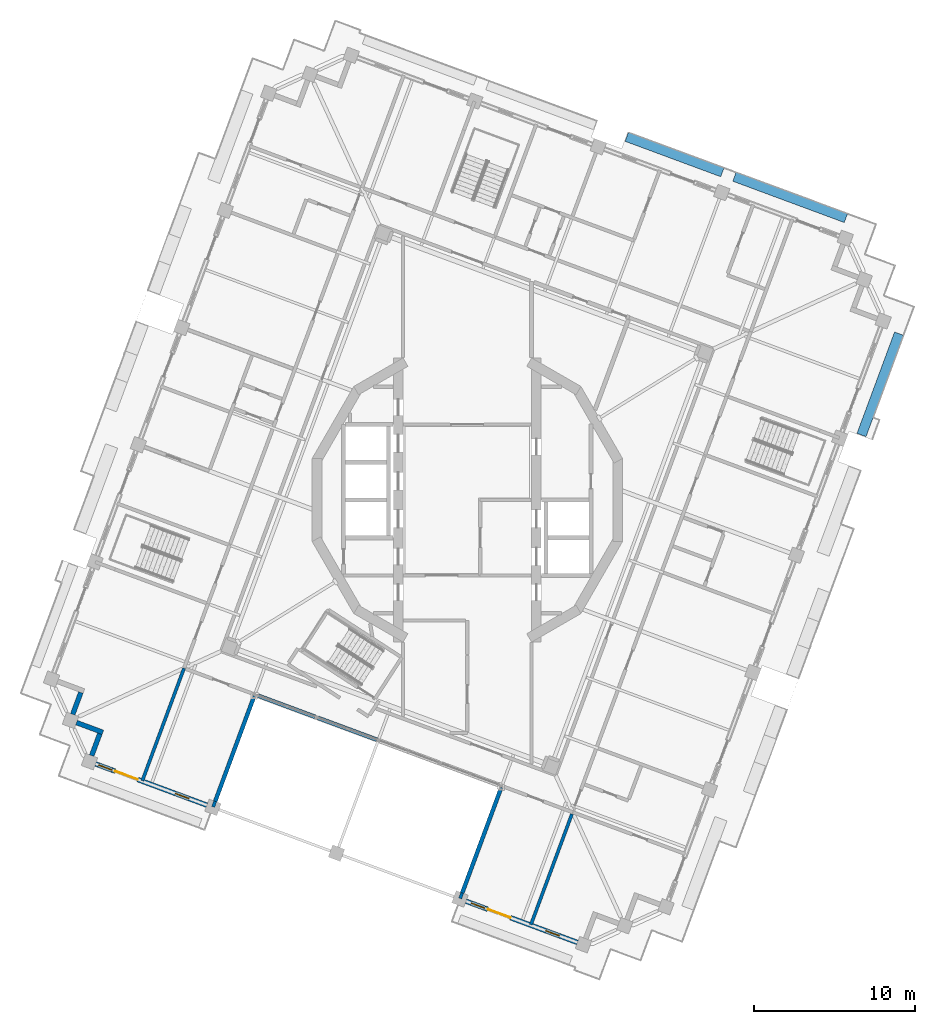
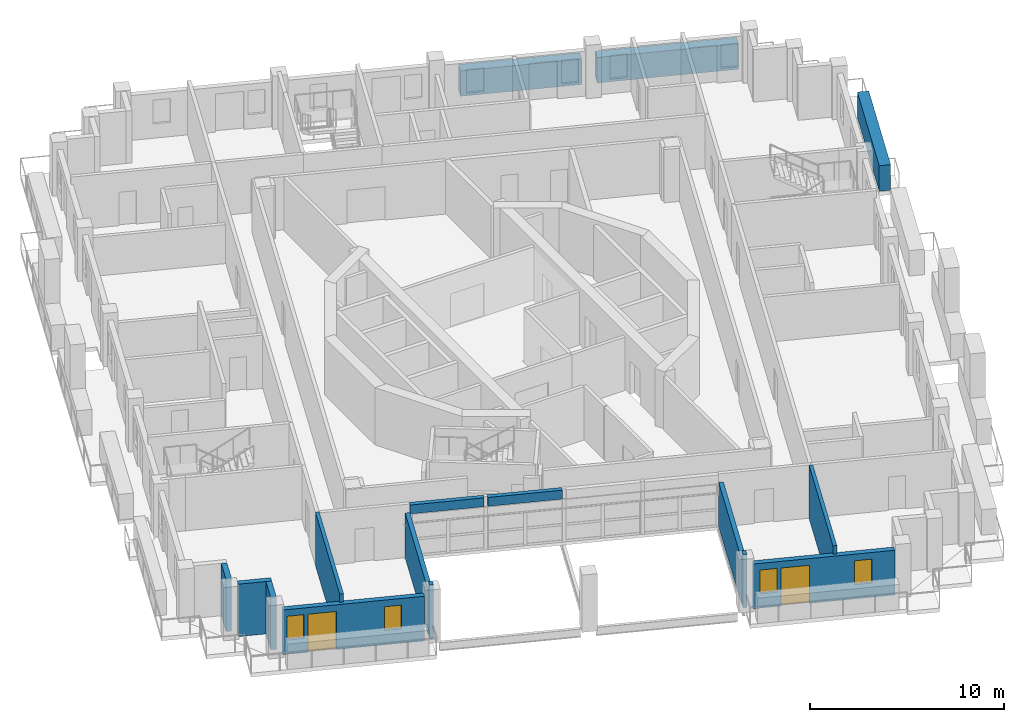
# One storey, part 5 of 19: 13 walls, 4 windows, 3 plates, 2 doors, 6 openings.
"""IFC4 building model written with IfcOpenShell, lengths in metres."""

import ifcopenshell
import ifcopenshell.guid

model = None  # the IFC model being written
_history = None  # IfcOwnerHistory: only IFC2X3 demands one
_inside = {}  # id of a spatial element -> (the spatial element, [elements in it])
_under = {}  # id of a project, library or spatial element -> (it, [spatial elements below it])
_declared = {}  # id of a project -> (the project, [libraries it declares])
_typed = {}  # id of a type object -> (the type object, [elements of that type])
_made_of = {}  # id of a material, layer set ... -> (it, [elements and type objects made of it])


def new_model(schema):
    """Start an empty IFC model of exactly this schema.

    Asked for "IFC4X3", IfcOpenShell would pick the latest addendum, in which some entities
    have other attributes; the version numbers below select the first issue.
    IFC2X3 requires an IfcOwnerHistory on every rooted entity: one is made here for all.
    """
    global model, _history
    if schema == "IFC4X3":
        model = ifcopenshell.file(schema_version=(4, 3, 0, 0))
    else:
        model = ifcopenshell.file(schema=schema)
    _inside.clear()
    _under.clear()
    _declared.clear()
    _typed.clear()
    _made_of.clear()
    _history = None
    if model.schema == "IFC2X3":
        org = make("IfcOrganization", Name="unknown")
        user = make(
            "IfcPersonAndOrganization",
            ThePerson=make("IfcPerson", FamilyName="unknown"),
            TheOrganization=org,
        )
        app = make(
            "IfcApplication",
            ApplicationDeveloper=org,
            Version="unknown",
            ApplicationFullName="unknown",
            ApplicationIdentifier="unknown",
        )
        _history = make(
            "IfcOwnerHistory",
            OwningUser=user,
            OwningApplication=app,
            ChangeAction="ADDED",
            CreationDate=0,
        )
    return model


def make(cls, **values):
    """One entity of the class cls with the attributes given. An attribute that is None is left unset."""
    return model.create_entity(
        cls, **{name: value for name, value in values.items() if value is not None}
    )


def rooted(cls, **values):
    """An entity with a GlobalId (a new one), such as an element, a storey or a relation."""
    return make(cls, GlobalId=ifcopenshell.guid.new(), OwnerHistory=_history, **values)


def si_unit(unit_type, name, prefix=None):
    """IfcSIUnit, for example si_unit("LENGTHUNIT", "METRE", prefix="MILLI")."""
    return make("IfcSIUnit", UnitType=unit_type, Prefix=prefix, Name=name)


def assignment(units):
    """IfcUnitAssignment: the units of a project."""
    return None if units is None else make("IfcUnitAssignment", Units=units)


def point(xyz):
    """IfcCartesianPoint."""
    return None if xyz is None else make("IfcCartesianPoint", Coordinates=xyz)


def direction(xyz):
    """IfcDirection."""
    return None if xyz is None else make("IfcDirection", DirectionRatios=xyz)


def frame(location, z_axis=None, x_axis=None):
    """IfcAxis2Placement3D, a coordinate frame: its origin and axes. An axis left out is left unset."""
    return make(
        "IfcAxis2Placement3D",
        Location=point(location),
        Axis=direction(z_axis),
        RefDirection=direction(x_axis),
    )


def frame_2d(location, x_axis=None):
    """IfcAxis2Placement2D, a coordinate frame in the plane: its origin and x axis."""
    return make(
        "IfcAxis2Placement2D", Location=point(location), RefDirection=direction(x_axis)
    )


def origin():
    """The frame at (0, 0, 0) with its axes left unset."""
    return frame((0.0, 0.0, 0.0))


def origin_2d():
    """The frame at (0, 0) in the plane with its x axis left unset."""
    return frame_2d((0.0, 0.0))


def place(relative_to, where):
    """IfcLocalPlacement: puts the frame where relative to a parent placement (None: the world)."""
    return make(
        "IfcLocalPlacement", PlacementRelTo=relative_to, RelativePlacement=where
    )


def context(
    kind, dimensions, precision=None, world=None, true_north=None, identifier=None
):
    """IfcGeometricRepresentationContext, for example the 3D "Model" context."""
    return make(
        "IfcGeometricRepresentationContext",
        ContextIdentifier=identifier,
        ContextType=kind,
        CoordinateSpaceDimension=dimensions,
        Precision=precision,
        WorldCoordinateSystem=world,
        TrueNorth=true_north,
    )


def subcontext(parent, identifier, kind, view, scale=None):
    """IfcGeometricRepresentationSubContext, for example "Body" below "Model"."""
    return make(
        "IfcGeometricRepresentationSubContext",
        ContextIdentifier=identifier,
        ContextType=kind,
        ParentContext=parent,
        TargetScale=scale,
        TargetView=view,
    )


def project(units=None, contexts=None):
    """IfcProject with its units and contexts."""
    return rooted(
        "IfcProject",
        Name="project",
        RepresentationContexts=contexts,
        UnitsInContext=assignment(units),
    )


def spatial(cls, under=None, at=None, **own):
    """A site, building, storey or space (cls), placed at a placement, below another one or the project."""
    s = rooted(cls, ObjectPlacement=at, **own)
    if under is not None:
        _under.setdefault(under.id(), (under, []))[1].append(s)
    return s


def profile(cls, at=None, kind="AREA", **sizes):
    """A parametric profile (cls). Its sizes go by their IFC names, for example OverallWidth=200.0."""
    return make(cls, ProfileType=kind, Position=at, **sizes)


def rectangle(**sizes):
    """IfcRectangleProfileDef."""
    return profile("IfcRectangleProfileDef", **sizes)


def extrude(swept, where, along, depth):
    """IfcExtrudedAreaSolid: the profile swept, set in the frame where, extruded along a direction by depth."""
    return make(
        "IfcExtrudedAreaSolid",
        SweptArea=swept,
        Position=where,
        ExtrudedDirection=direction(along),
        Depth=depth,
    )


def shape(context_of_items, identifier, shape_type, items):
    """IfcShapeRepresentation: the items that make up one representation, for example the "Body"."""
    return make(
        "IfcShapeRepresentation",
        ContextOfItems=context_of_items,
        RepresentationIdentifier=identifier,
        RepresentationType=shape_type,
        Items=items,
    )


def material(Name=None, Category=None):
    """IfcMaterial."""
    return make("IfcMaterial", Name=Name, Category=Category)


def layer(
    of_material, thickness, ventilated=None, Name=None, Category=None, Priority=None
):
    """IfcMaterialLayer: one layer of a wall or slab, of a material (None: an air gap)."""
    return make(
        "IfcMaterialLayer",
        Material=of_material,
        LayerThickness=thickness,
        IsVentilated=ventilated,
        Name=Name,
        Category=Category,
        Priority=Priority,
    )


def layer_set(layers, Name=None):
    """IfcMaterialLayerSet."""
    return make("IfcMaterialLayerSet", MaterialLayers=layers, LayerSetName=Name)


def made_of(thing, what):
    """Note that an element or type object is made of a material, layer set ...; save() writes the relation."""
    if what is not None:
        _made_of.setdefault(what.id(), (what, []))[1].append(thing)
    return thing


def type_object(cls, material=None, **own):
    """A type object (cls), such as IfcWallType, which elements share."""
    return made_of(rooted(cls, **own), material)


def element(
    cls,
    number,
    at=None,
    inside=None,
    cuts=None,
    type_object=None,
    material=None,
    context=None,
    identifier="Body",
    shape_type=None,
    held_by="IfcProductDefinitionShape",
    body=None,
    shapes=None,
    **own,
):
    """One element of the class cls, such as IfcWall. Its Tag is "e" and its number.

    at: its placement. inside: the storey or other place that contains it. cuts: it is an
    opening in that element (IfcRelVoidsElement). A single representation is given by context,
    identifier, shape_type and body (its items); several are given by shapes. held_by: the class
    of the entity that holds the representations. save() writes the other relations.
    """
    e = rooted(cls, Tag="e%d" % number, ObjectPlacement=at, **own)
    if body is not None:
        shapes = [shape(context, identifier, shape_type, body)]
    if shapes is not None:
        e.Representation = make(held_by, Representations=shapes)
    if inside is not None:
        _inside.setdefault(inside.id(), (inside, []))[1].append(e)
    if cuts is not None:
        rooted(
            "IfcRelVoidsElement", RelatingBuildingElement=cuts, RelatedOpeningElement=e
        )
    if type_object is not None:
        _typed.setdefault(type_object.id(), (type_object, []))[1].append(e)
    return made_of(e, material)


def fill(opening, filler):
    """IfcRelFillsElement: the door or window that sits in an opening."""
    return rooted(
        "IfcRelFillsElement",
        RelatingOpeningElement=opening,
        RelatedBuildingElement=filler,
    )


def aggregate(whole, parts):
    """IfcRelAggregates: a whole, such as a stair, and the parts it consists of."""
    return rooted("IfcRelAggregates", RelatingObject=whole, RelatedObjects=parts)


def save(model, path):
    """Write the relations noted so far, then the file.

    IfcRelAggregates (storeys below a building ...), IfcRelContainedInSpatialStructure (elements
    in a storey), IfcRelDefinesByType, IfcRelAssociatesMaterial and IfcRelDeclares: one each for
    every whole, place, type object, material and project.
    """
    for whole, parts in _under.values():
        aggregate(whole, parts)
    for where, things in _inside.values():
        rooted(
            "IfcRelContainedInSpatialStructure",
            RelatedElements=things,
            RelatingStructure=where,
        )
    for kind, things in _typed.values():
        rooted("IfcRelDefinesByType", RelatedObjects=things, RelatingType=kind)
    for what, things in _made_of.values():
        rooted("IfcRelAssociatesMaterial", RelatedObjects=things, RelatingMaterial=what)
    for by, libraries in _declared.values():
        rooted("IfcRelDeclares", RelatingContext=by, RelatedDefinitions=libraries)
    model.write(path)


model = new_model("IFC4")

# Units and contexts
model_context = context("Model", 3, precision=1e-05, world=origin(), true_north=direction((0.0, 1.0)))
body_context = subcontext(model_context, "Body", "Model", "MODEL_VIEW")
ifc_project = project(units=[si_unit("LENGTHUNIT", "METRE"), si_unit("AREAUNIT", "SQUARE_METRE"), si_unit("VOLUMEUNIT", "CUBIC_METRE"), si_unit("PLANEANGLEUNIT", "RADIAN"), si_unit("MASSUNIT", "GRAM", prefix="KILO")], contexts=[model_context])

# Site, building, storey
site_placement = place(None, origin())
site = spatial("IfcSite", under=ifc_project, at=site_placement, CompositionType="ELEMENT")
building_placement = place(site_placement, origin())
building = spatial("IfcBuilding", under=site, at=building_placement, Name="Cantera Rosa Tower", CompositionType="ELEMENT")
storey_placement = place(building_placement, frame((0.0, 0.0, 324.10009765625)))
storey = spatial("IfcBuildingStorey", under=building, at=storey_placement, Name="L72", CompositionType="ELEMENT", Elevation=324.10009765625)

# Plates
ifc_material_1 = material(Name="Cantera stone planter with soil", Category="masonry")
plate_type = type_object("IfcPlateType", Name="PLANTER 600", PredefinedType="USERDEFINED", material=ifc_material_1)
plate_1_placement = place(storey_placement, frame((20.098876953125, 18.83984375, -0.000244140625), z_axis=(0.0, 0.0, 1.0), x_axis=(-0.937686936924, 0.347481234489, 0.0)))
element("IfcPlate", 1, at=plate_1_placement, inside=storey, type_object=plate_type, Name="PLANTER L72-01", ObjectType="PLANTER", PredefinedType="USERDEFINED", context=body_context, shape_type="SweptSolid", body=[
    extrude(rectangle(XDim=7.39990234375, YDim=0.60009765625, at=origin_2d()), origin(), (0.0, 0.0, 1.0), 1.60009765625),
])
plate_2_placement = place(storey_placement, frame((12.902099609375, 21.5068359375, -0.000244140625), z_axis=(0.0, 0.0, 1.0), x_axis=(-0.937686936924, 0.347481234489, 0.0)))
element("IfcPlate", 2, at=plate_2_placement, inside=storey, type_object=plate_type, Name="PLANTER L72-02", ObjectType="PLANTER", PredefinedType="USERDEFINED", context=body_context, shape_type="SweptSolid", body=[
    extrude(rectangle(XDim=6.35009765625, YDim=0.60009765625, at=origin_2d()), origin(), (0.0, 0.0, 1.0), 1.60009765625),
])
plate_3_placement = place(storey_placement, frame((25.709716796875, 7.199951171875, -0.000244140625), z_axis=(0.0, 0.0, 1.0), x_axis=(0.347481234489, 0.937686936924, 0.0)))
element("IfcPlate", 3, at=plate_3_placement, inside=storey, type_object=plate_type, Name="PLANTER L72-18", ObjectType="PLANTER", PredefinedType="USERDEFINED", context=body_context, shape_type="SweptSolid", body=[
    extrude(rectangle(XDim=6.72998046875, YDim=0.60009765625, at=origin_2d()), origin(), (0.0, 0.0, 1.0), 1.60009765625),
])

# Walls
ifc_material_2 = material(Name="Hollow clay masonry with cantera stone cladding", Category="masonry")
ifc_layer_1 = layer(ifc_material_2, 0.300048828125)
ifc_layer_set_1 = layer_set([ifc_layer_1], Name="EW-LOGGIA 300")
wall_type_1 = type_object("IfcWallType", Name="EW-LOGGIA 300", PredefinedType="SOLIDWALL", material=ifc_layer_set_1)
wall_1_placement = place(storey_placement, frame((-24.06396484375, -11.985107421875, 0.0), z_axis=(0.0, 0.0, 1.0), x_axis=(-0.347522732201, -0.937671557958, 0.0)))
element("IfcWall", 4, at=wall_1_placement, inside=storey, type_object=wall_type_1, Name="EN-L72-W12b", PredefinedType="SOLIDWALL", context=body_context, shape_type="SweptSolid", body=[
    extrude(rectangle(XDim=1.449951171875, YDim=0.300048828125, at=frame_2d((0.72509765625, 0.0))), origin(), (0.0, 0.0, 1.0), 3.2998046875),
])
wall_2_placement = place(storey_placement, frame((-24.331787109375, -13.858642578125, 0.0), z_axis=(0.0, 0.0, 1.0), x_axis=(0.937669639538, -0.34752790836, 0.0)))
element("IfcWall", 5, at=wall_2_placement, inside=storey, type_object=wall_type_1, Name="EN-L72-W13a", PredefinedType="SOLIDWALL", context=body_context, shape_type="SweptSolid", body=[
    extrude(rectangle(XDim=1.75, YDim=0.300048828125, at=frame_2d((0.875, 0.0))), origin(), (0.0, 0.0, 1.0), 3.2998046875),
])
wall_3_placement = place(storey_placement, frame((-22.883544921875, -14.555419921875, 0.0), z_axis=(0.0, 0.0, 1.0), x_axis=(-0.347522732201, -0.937671557958, 0.0)))
element("IfcWall", 6, at=wall_3_placement, inside=storey, type_object=wall_type_1, Name="EN-L72-W13b", PredefinedType="SOLIDWALL", context=body_context, shape_type="SweptSolid", body=[
    extrude(rectangle(XDim=1.449951171875, YDim=0.300048828125, at=frame_2d((0.72509765625, 0.0))), origin(), (0.0, 0.0, 1.0), 3.2998046875),
])

# Wall, openings, windows, door
ifc_material_3 = material(Name="Hollow clay masonry with cantera stone cladding", Category="masonry")
ifc_layer_2 = layer(ifc_material_3, 0.300048828125)
ifc_layer_set_2 = layer_set([ifc_layer_2], Name="EW-LOGGIA 300 H2820")
wall_type_2 = type_object("IfcWallType", Name="EW-LOGGIA 300 H2820", PredefinedType="SOLIDWALL", material=ifc_layer_set_2)
wall_4_placement = place(storey_placement, frame((-23.1513671875, -16.428955078125, 0.0), z_axis=(0.0, 0.0, 1.0), x_axis=(0.937676706507, -0.347508840281, 0.0)))
wall_4 = element("IfcWall", 7, at=wall_4_placement, inside=storey, type_object=wall_type_2, Name="EN-L72-W14", PredefinedType="SOLIDWALL", context=body_context, shape_type="SweptSolid", body=[
    extrude(rectangle(XDim=7.39990234375, YDim=0.300048828125, at=frame_2d((3.699951171875, 0.0))), origin(), (0.0, 0.0, 1.0), 2.81982421875),
])
opening_1_placement = place(wall_4_placement, frame((0.199951171875, 0.0, 0.89990234375)))
opening_1 = element("IfcOpeningElement", 8, at=opening_1_placement, cuts=wall_4, Name="Opening L72-W28", PredefinedType="OPENING", context=body_context, shape_type="SweptSolid", body=[
    extrude(rectangle(XDim=0.89990234375, YDim=1.5, at=frame_2d((0.449951171875, 0.75))), frame((0.0, 0.159912109375, 0.0), z_axis=(0.0, -1.0, 0.0), x_axis=(1.0, 0.0, 0.0)), (0.0, 0.0, 1.0), 0.320068359375),
])
opening_2_placement = place(wall_4_placement, frame((1.300048828125, 0.0, 0.0)))
opening_2 = element("IfcOpeningElement", 9, at=opening_2_placement, cuts=wall_4, Name="Opening L72-TD29", PredefinedType="OPENING", context=body_context, shape_type="SweptSolid", body=[
    extrude(rectangle(XDim=1.5, YDim=2.39990234375, at=frame_2d((0.75, 1.199951171875))), frame((0.0, 0.159912109375, 0.0), z_axis=(0.0, -1.0, 0.0), x_axis=(1.0, 0.0, 0.0)), (0.0, 0.0, 1.0), 0.320068359375),
])
opening_3_placement = place(wall_4_placement, frame((5.300048828125, 0.0, 0.89990234375)))
opening_3 = element("IfcOpeningElement", 10, at=opening_3_placement, cuts=wall_4, Name="Opening L72-W30", PredefinedType="OPENING", context=body_context, shape_type="SweptSolid", body=[
    extrude(rectangle(XDim=0.89990234375, YDim=1.5, at=frame_2d((0.449951171875, 0.75))), frame((0.0, 0.159912109375, 0.0), z_axis=(0.0, -1.0, 0.0), x_axis=(1.0, 0.0, 0.0)), (0.0, 0.0, 1.0), 0.320068359375),
])
ifc_material_4 = material(Name="Aluminium frame with clear glass", Category="aluminium")
window_type = type_object("IfcWindowType", Name="Residential window 900x1500", PartitioningType="SINGLE_PANEL", PredefinedType="WINDOW", material=ifc_material_4)
window_1_placement = place(opening_1_placement, origin())
window_1 = element("IfcWindow", 11, at=window_1_placement, inside=storey, type_object=window_type, Name="WINDOW L72-W28", OverallHeight=1.5, OverallWidth=0.89990234375, PartitioningType="SINGLE_PANEL", PredefinedType="WINDOW", context=body_context, shape_type="SweptSolid", body=[
    extrude(rectangle(XDim=0.89990234375, YDim=1.5, at=frame_2d((0.449951171875, 0.75))), frame((0.0, 0.030029296875, 0.0), z_axis=(0.0, -1.0, 0.0), x_axis=(1.0, 0.0, 0.0)), (0.0, 0.0, 1.0), 0.06005859375),
])
fill(opening_1, window_1)
window_2_placement = place(opening_3_placement, origin())
window_2 = element("IfcWindow", 12, at=window_2_placement, inside=storey, type_object=window_type, Name="WINDOW L72-W30", OverallHeight=1.5, OverallWidth=0.89990234375, PartitioningType="SINGLE_PANEL", PredefinedType="WINDOW", context=body_context, shape_type="SweptSolid", body=[
    extrude(rectangle(XDim=0.89990234375, YDim=1.5, at=frame_2d((0.449951171875, 0.75))), frame((0.0, 0.030029296875, 0.0), z_axis=(0.0, -1.0, 0.0), x_axis=(1.0, 0.0, 0.0)), (0.0, 0.0, 1.0), 0.06005859375),
])
fill(opening_3, window_2)
ifc_material_5 = material(Name="Aluminium frame with clear glass", Category="aluminium")
door_type = type_object("IfcDoorType", Name="TD-R 1500x2400", OperationType="NOTDEFINED", PredefinedType="DOOR", material=ifc_material_5)
door_1_placement = place(opening_2_placement, origin())
door_1 = element("IfcDoor", 13, at=door_1_placement, inside=storey, type_object=door_type, Name="LOGGIA DOOR L72-TD29", OperationType="SLIDING_TO_LEFT", OverallHeight=2.39990234375, OverallWidth=1.5, PredefinedType="DOOR", context=body_context, shape_type="SweptSolid", body=[
    extrude(rectangle(XDim=1.5, YDim=2.39990234375, at=frame_2d((0.75, 1.199951171875))), frame((0.0, 0.02490234375, 0.0), z_axis=(0.0, -1.0, 0.0), x_axis=(1.0, 0.0, 0.0)), (0.0, 0.0, 1.0), 0.050048828125),
])
fill(opening_2, door_1)

wall_5_placement = place(storey_placement, frame((-0.084228515625, -24.97705078125, 0.0), z_axis=(0.0, 0.0, 1.0), x_axis=(0.937687456783, -0.347479831633, 0.0)))
wall_5 = element("IfcWall", 14, at=wall_5_placement, inside=storey, type_object=wall_type_2, Name="EN-L72-W17", PredefinedType="SOLIDWALL", context=body_context, shape_type="SweptSolid", body=[
    extrude(rectangle(XDim=7.39990234375, YDim=0.300048828125, at=frame_2d((3.699951171875, 0.0))), origin(), (0.0, 0.0, 1.0), 2.81982421875),
])
opening_4_placement = place(wall_5_placement, frame((0.35009765625, 0.0, 0.89990234375)))
opening_4 = element("IfcOpeningElement", 15, at=opening_4_placement, cuts=wall_5, Name="Opening L72-W31", PredefinedType="OPENING", context=body_context, shape_type="SweptSolid", body=[
    extrude(rectangle(XDim=0.89990234375, YDim=1.5, at=frame_2d((0.449951171875, 0.75))), frame((0.0, 0.159912109375, 0.0), z_axis=(0.0, -1.0, 0.0), x_axis=(1.0, 0.0, 0.0)), (0.0, 0.0, 1.0), 0.320068359375),
])
opening_5_placement = place(wall_5_placement, frame((1.449951171875, 0.0, 0.0)))
opening_5 = element("IfcOpeningElement", 16, at=opening_5_placement, cuts=wall_5, Name="Opening L72-TD32", PredefinedType="OPENING", context=body_context, shape_type="SweptSolid", body=[
    extrude(rectangle(XDim=1.5, YDim=2.39990234375, at=frame_2d((0.75, 1.199951171875))), frame((0.0, 0.159912109375, 0.0), z_axis=(0.0, -1.0, 0.0), x_axis=(1.0, 0.0, 0.0)), (0.0, 0.0, 1.0), 0.320068359375),
])
opening_6_placement = place(wall_5_placement, frame((5.300048828125, 0.0, 0.89990234375)))
opening_6 = element("IfcOpeningElement", 17, at=opening_6_placement, cuts=wall_5, Name="Opening L72-W33", PredefinedType="OPENING", context=body_context, shape_type="SweptSolid", body=[
    extrude(rectangle(XDim=0.89990234375, YDim=1.5, at=frame_2d((0.449951171875, 0.75))), frame((0.0, 0.159912109375, 0.0), z_axis=(0.0, -1.0, 0.0), x_axis=(1.0, 0.0, 0.0)), (0.0, 0.0, 1.0), 0.320068359375),
])
window_3_placement = place(opening_4_placement, origin())
window_3 = element("IfcWindow", 18, at=window_3_placement, inside=storey, type_object=window_type, Name="WINDOW L72-W31", OverallHeight=1.5, OverallWidth=0.89990234375, PartitioningType="SINGLE_PANEL", PredefinedType="WINDOW", context=body_context, shape_type="SweptSolid", body=[
    extrude(rectangle(XDim=0.89990234375, YDim=1.5, at=frame_2d((0.449951171875, 0.75))), frame((0.0, 0.030029296875, 0.0), z_axis=(0.0, -1.0, 0.0), x_axis=(1.0, 0.0, 0.0)), (0.0, 0.0, 1.0), 0.06005859375),
])
fill(opening_4, window_3)
window_4_placement = place(opening_6_placement, origin())
window_4 = element("IfcWindow", 19, at=window_4_placement, inside=storey, type_object=window_type, Name="WINDOW L72-W33", OverallHeight=1.5, OverallWidth=0.89990234375, PartitioningType="SINGLE_PANEL", PredefinedType="WINDOW", context=body_context, shape_type="SweptSolid", body=[
    extrude(rectangle(XDim=0.89990234375, YDim=1.5, at=frame_2d((0.449951171875, 0.75))), frame((0.0, 0.030029296875, 0.0), z_axis=(0.0, -1.0, 0.0), x_axis=(1.0, 0.0, 0.0)), (0.0, 0.0, 1.0), 0.06005859375),
])
fill(opening_6, window_4)
door_2_placement = place(opening_5_placement, origin())
door_2 = element("IfcDoor", 20, at=door_2_placement, inside=storey, type_object=door_type, Name="LOGGIA DOOR L72-TD32", OperationType="SLIDING_TO_LEFT", OverallHeight=2.39990234375, OverallWidth=1.5, PredefinedType="DOOR", context=body_context, shape_type="SweptSolid", body=[
    extrude(rectangle(XDim=1.5, YDim=2.39990234375, at=frame_2d((0.75, 1.199951171875))), frame((0.0, 0.02490234375, 0.0), z_axis=(0.0, -1.0, 0.0), x_axis=(1.0, 0.0, 0.0)), (0.0, 0.0, 1.0), 0.050048828125),
])
fill(opening_5, door_2)

# Walls
ifc_material_6 = material(Name="Concrete C40/50", Category="concrete")
ifc_layer_3 = layer(ifc_material_6, 0.25)
ifc_layer_set_3 = layer_set([ifc_layer_3], Name="EW-POCKET CHEEK 250 H2820")
wall_type_3 = type_object("IfcWallType", Name="EW-POCKET CHEEK 250 H2820", PredefinedType="SOLIDWALL", material=ifc_layer_set_3)
for number, where, z_axis, x_axis, name in (
    (21, (-15.698486328125, -18.764404296875, 0.0), (0.0, 0.0, 1.0), (0.34747451338, 0.937689427556, 0.0), "POCKET CHEEK A L72"),
    (22, (-0.3203125, -24.463134765625, 0.0), (0.0, 0.0, 1.0), (0.34747451338, 0.937689427556, 0.0), "POCKET CHEEK B L72"),
):
    element("IfcWall", number, at=place(storey_placement, frame(where, z_axis=z_axis, x_axis=x_axis)), inside=storey, type_object=wall_type_3, Name=name, PredefinedType="SOLIDWALL", context=body_context, shape_type="SweptSolid", body=[
        extrude(rectangle(XDim=7.000244140625, YDim=0.25, at=frame_2d((3.5, 0.0))), origin(), (0.0, 0.0, 1.0), 2.81982421875),
    ])
ifc_material_7 = material(Name="Hollow clay masonry with cantera stone cladding", Category="masonry")
ifc_layer_4 = layer(ifc_material_7, 0.25)
ifc_layer_set_4 = layer_set([ifc_layer_4], Name="EW-POCKET REAR 250")
wall_type_4 = type_object("IfcWallType", Name="EW-POCKET REAR 250", PredefinedType="SOLIDWALL", material=ifc_layer_set_4)
wall_6_placement = place(storey_placement, frame((-13.1142578125, -12.150146484375, 2.741943359375), z_axis=(0.0, 0.0, 1.0), x_axis=(0.937680398266, -0.347498878713, 0.0)))
element("IfcWall", 23, at=wall_6_placement, inside=storey, type_object=wall_type_4, Name="POCKET SPANDREL L72-1", PredefinedType="SOLIDWALL", context=body_context, shape_type="SweptSolid", body=[
    extrude(rectangle(XDim=3.878173828125, YDim=0.25, at=frame_2d((1.93896484375, 0.0))), origin(), (0.0, 0.0, 1.0), 0.557861328125),
])
wall_7_placement = place(storey_placement, frame((-9.2958984375, -13.565185546875, 2.741943359375), z_axis=(0.0, 0.0, 1.0), x_axis=(0.937683048093, -0.347491728417, 0.0)))
element("IfcWall", 24, at=wall_7_placement, inside=storey, type_object=wall_type_4, Name="POCKET SPANDREL L72-2", PredefinedType="SOLIDWALL", context=body_context, shape_type="SweptSolid", body=[
    extrude(rectangle(XDim=3.89990234375, YDim=0.25, at=frame_2d((1.949951171875, 0.0))), origin(), (0.0, 0.0, 1.0), 0.557861328125),
])
ifc_material_8 = material(Name="Gypsum board partition")
ifc_layer_5 = layer(ifc_material_8, 0.199951171875)
ifc_layer_set_5 = layer_set([ifc_layer_5], Name="PARTITION 200 H3350")
wall_type_5 = type_object("IfcWallType", Name="PARTITION 200 H3350", PredefinedType="PARTITIONING", material=ifc_layer_set_5)
wall_8_placement = place(storey_placement, frame((-17.638427734375, -10.4736328125, 0.0), z_axis=(0.0, 0.0, 1.0), x_axis=(-0.347488923611, -0.937684087509, 0.0)))
element("IfcWall", 25, at=wall_8_placement, inside=storey, type_object=wall_type_5, Name="PARTITION L72-002", PredefinedType="PARTITIONING", context=body_context, shape_type="SweptSolid", body=[
    extrude(rectangle(XDim=7.469970703125, YDim=0.199951171875, at=frame_2d((3.73486328125, 0.0))), origin(), (0.0, 0.0, 1.0), 3.349853515625),
])
wall_9_placement = place(storey_placement, frame((-15.698486328125, -18.764404296875, 0.0), z_axis=(0.0, 0.0, 1.0), x_axis=(-0.347142392482, -0.937812432921, 0.0)))
element("IfcWall", 26, at=wall_9_placement, inside=storey, type_object=wall_type_5, Name="PARTITION L72-018", PredefinedType="PARTITIONING", context=body_context, shape_type="SweptSolid", body=[
    extrude(rectangle(XDim=0.369873046875, YDim=0.199951171875, at=frame_2d((0.18505859375, 0.0))), origin(), (0.0, 0.0, 1.0), 3.349853515625),
])
wall_10_placement = place(storey_placement, frame((-0.448974609375, -24.81005859375, 0.0), z_axis=(0.0, 0.0, 1.0), x_axis=(0.347507636708, 0.937677152558, 0.0)))
element("IfcWall", 27, at=wall_10_placement, inside=storey, type_object=wall_type_5, Name="PARTITION L72-057", PredefinedType="PARTITIONING", context=body_context, shape_type="SweptSolid", body=[
    extrude(rectangle(XDim=0.370361328125, YDim=0.199951171875, at=frame_2d((0.18505859375, 0.0))), origin(), (0.0, 0.0, 1.0), 3.349853515625),
])
ifc_material_9 = material(Name="Gypsum board partition")
ifc_layer_6 = layer(ifc_material_9, 0.199951171875)
ifc_layer_set_6 = layer_set([ifc_layer_6], Name="PARTY WALL 200 H3350")
wall_type_6 = type_object("IfcWallType", Name="PARTY WALL 200 H3350", PredefinedType="PARTITIONING", material=ifc_layer_set_6)
wall_11_placement = place(storey_placement, frame((3.958251953125, -26.443115234375, 0.0), z_axis=(0.0, 0.0, 1.0), x_axis=(0.347473379308, 0.937689847803, 0.0)))
element("IfcWall", 28, at=wall_11_placement, inside=storey, type_object=wall_type_6, Name="PARTY WALL L72-067", PredefinedType="PARTITIONING", context=body_context, shape_type="SweptSolid", body=[
    extrude(rectangle(XDim=7.35009765625, YDim=0.199951171875, at=frame_2d((3.675048828125, 0.0))), origin(), (0.0, 0.0, 1.0), 3.349853515625),
])

save(model, "model.ifc")
